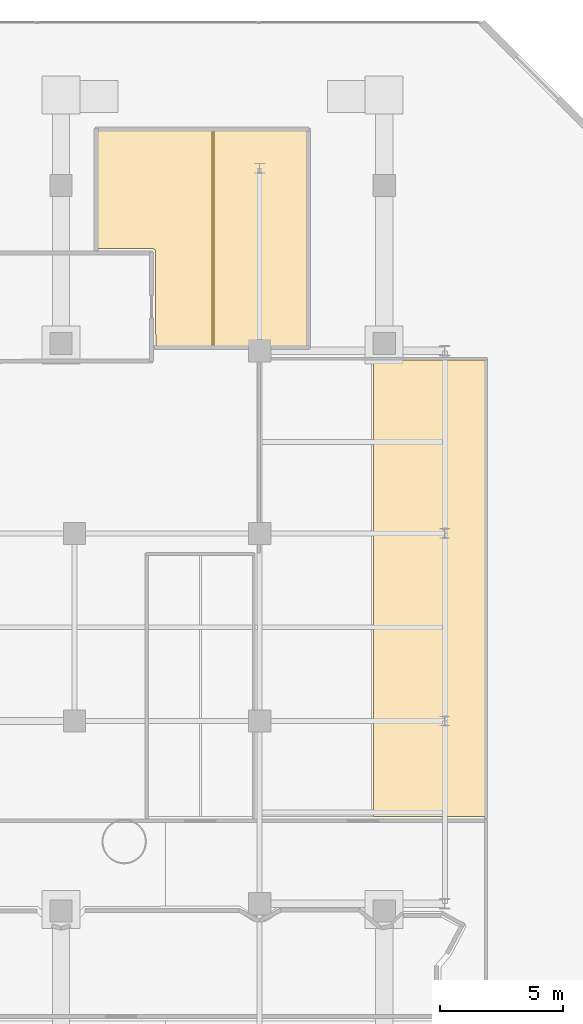
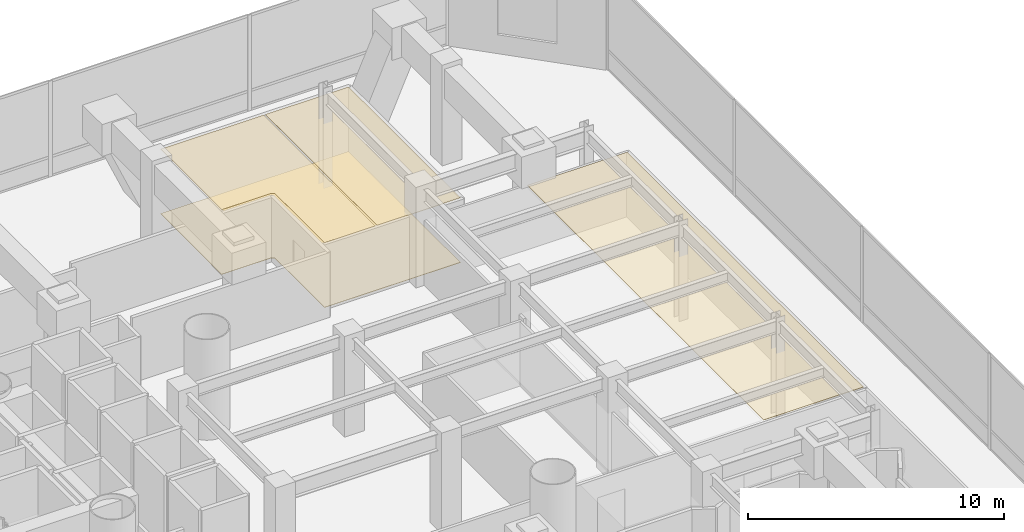
# One storey, part 45 of 45: 4 coverings.
"""IFC4 building model written with IfcOpenShell, lengths in metres."""

from ifc_helpers import new_model, si_unit, direction, frame, origin, place, context, subcontext, project, spatial, polyline, outline, extrude, material, layer, layer_set, type_object, element, save


model = new_model("IFC4")

# Units and contexts
model_context = context("Model", 3, precision=1e-05, world=origin(), true_north=direction((0.0, 1.0)))
body_context = subcontext(model_context, "Body", "Model", "MODEL_VIEW")
ifc_project = project(units=[si_unit("LENGTHUNIT", "METRE"), si_unit("AREAUNIT", "SQUARE_METRE"), si_unit("VOLUMEUNIT", "CUBIC_METRE"), si_unit("PLANEANGLEUNIT", "RADIAN"), si_unit("MASSUNIT", "GRAM", prefix="KILO")], contexts=[model_context])

# Site, building, storey
site_placement = place(None, origin())
site = spatial("IfcSite", under=ifc_project, at=site_placement, CompositionType="ELEMENT")
building_placement = place(site_placement, origin())
building = spatial("IfcBuilding", under=site, at=building_placement, Name="Qianvela Tower", CompositionType="ELEMENT")
storey_placement = place(building_placement, frame((0.0, 0.0, 11.0)))
storey = spatial("IfcBuildingStorey", under=building, at=storey_placement, Name="L02", CompositionType="ELEMENT", Elevation=11.0)

# Coverings
ifc_material_1 = material(Name="Perforated Mineral Acoustic Ceiling Tile")
ifc_layer_1 = layer(ifc_material_1, 0.02490234375)
ifc_layer_set_1 = layer_set([ifc_layer_1], Name="Perforated Mineral Acoustic Ceiling Tile")
covering_type_1 = type_object("IfcCoveringType", Name="COV-CEIL-ACOUSTIC-25", PredefinedType="CEILING", material=ifc_layer_set_1)
covering_1_placement = place(storey_placement, frame((0.0, 0.0, 3.074951171875)))
element("IfcCovering", 1, at=covering_1_placement, inside=storey, type_object=covering_type_1, Name="L02 Acoustic Ceiling Bay 2 L02 Digital Research Office East", PredefinedType="CEILING", context=body_context, shape_type="SweptSolid", body=[
    extrude(outline(polyline([(64.614990234375, 18.342041015625), (64.614990234375, 36.820068359375), (69.1201171875, 36.820068359375), (69.1201171875, 18.342041015625), (64.614990234375, 18.342041015625)])), origin(), (0.0, 0.0, 1.0), 0.025146484375),
])
covering_2_placement = place(storey_placement, frame((0.0, 0.0, 3.074951171875)))
element("IfcCovering", 2, at=covering_2_placement, inside=storey, type_object=covering_type_1, Name="L02 Acoustic Ceiling Bay 1 L02 Shared Student Tea Pantry", PredefinedType="CEILING", context=body_context, shape_type="SweptSolid", body=[
    extrude(outline(polyline([(55.7919921875, 37.3798828125), (55.78466796875, 41.2294921875), (55.7841796875, 41.237548828125), (55.782958984375, 41.24560546875), (55.781005859375, 41.253662109375), (55.77783203125, 41.261474609375), (55.774169921875, 41.268798828125), (55.769775390625, 41.275634765625), (55.7646484375, 41.281982421875), (55.759033203125, 41.2880859375), (55.752685546875, 41.293212890625), (55.745849609375, 41.2978515625), (55.691162109375, 41.33056640625), (55.68359375, 41.334716796875), (55.675537109375, 41.337890625), (55.6669921875, 41.340087890625), (55.65869140625, 41.341552734375), (55.64990234375, 41.342041015625), (53.429931640625, 41.342041015625), (53.429931640625, 46.1201171875), (58.076416015625, 46.1201171875), (58.076416015625, 37.3798828125), (55.7919921875, 37.3798828125)])), origin(), (0.0, 0.0, 1.0), 0.025146484375),
])
covering_3_placement = place(storey_placement, frame((0.0, 0.0, 3.074951171875)))
element("IfcCovering", 3, at=covering_3_placement, inside=storey, type_object=covering_type_1, Name="L02 Acoustic Ceiling Bay 2 L02 Shared Student Tea Pantry", PredefinedType="CEILING", context=body_context, shape_type="SweptSolid", body=[
    extrude(outline(polyline([(58.156494140625, 37.3798828125), (58.156494140625, 46.1201171875), (61.919921875, 46.1201171875), (61.919921875, 37.3798828125), (58.156494140625, 37.3798828125)])), origin(), (0.0, 0.0, 1.0), 0.025146484375),
])
ifc_material_2 = material(Name="Engineered Acoustic Oak Timber Flooring", Category="wood")
ifc_layer_2 = layer(ifc_material_2, 0.02001953125)
ifc_layer_set_2 = layer_set([ifc_layer_2], Name="Engineered Acoustic Oak Timber Flooring")
covering_type_2 = type_object("IfcCoveringType", Name="COV-FLOOR-OAK-20", PredefinedType="FLOORING", material=ifc_layer_set_2)
covering_4_placement = place(storey_placement, origin())
element("IfcCovering", 4, at=covering_4_placement, inside=storey, type_object=covering_type_2, Name="L02 Finish Flooring L02 Shared Student Tea Pantry", PredefinedType="FLOORING", context=body_context, shape_type="SweptSolid", body=[
    extrude(outline(polyline([(61.919921875, 37.3798828125), (55.7919921875, 37.3798828125), (55.78466796875, 41.2294921875), (55.7841796875, 41.237548828125), (55.782958984375, 41.24560546875), (55.781005859375, 41.253662109375), (55.77783203125, 41.261474609375), (55.774169921875, 41.268798828125), (55.769775390625, 41.275634765625), (55.7646484375, 41.281982421875), (55.759033203125, 41.2880859375), (55.752685546875, 41.293212890625), (55.745849609375, 41.2978515625), (55.691162109375, 41.33056640625), (55.68359375, 41.334716796875), (55.675537109375, 41.337890625), (55.6669921875, 41.340087890625), (55.65869140625, 41.341552734375), (55.64990234375, 41.342041015625), (53.429931640625, 41.342041015625), (53.429931640625, 46.1201171875), (61.919921875, 46.1201171875), (61.919921875, 37.3798828125)])), origin(), (0.0, 0.0, 1.0), 0.02001953125),
])

save(model, "model.ifc")
